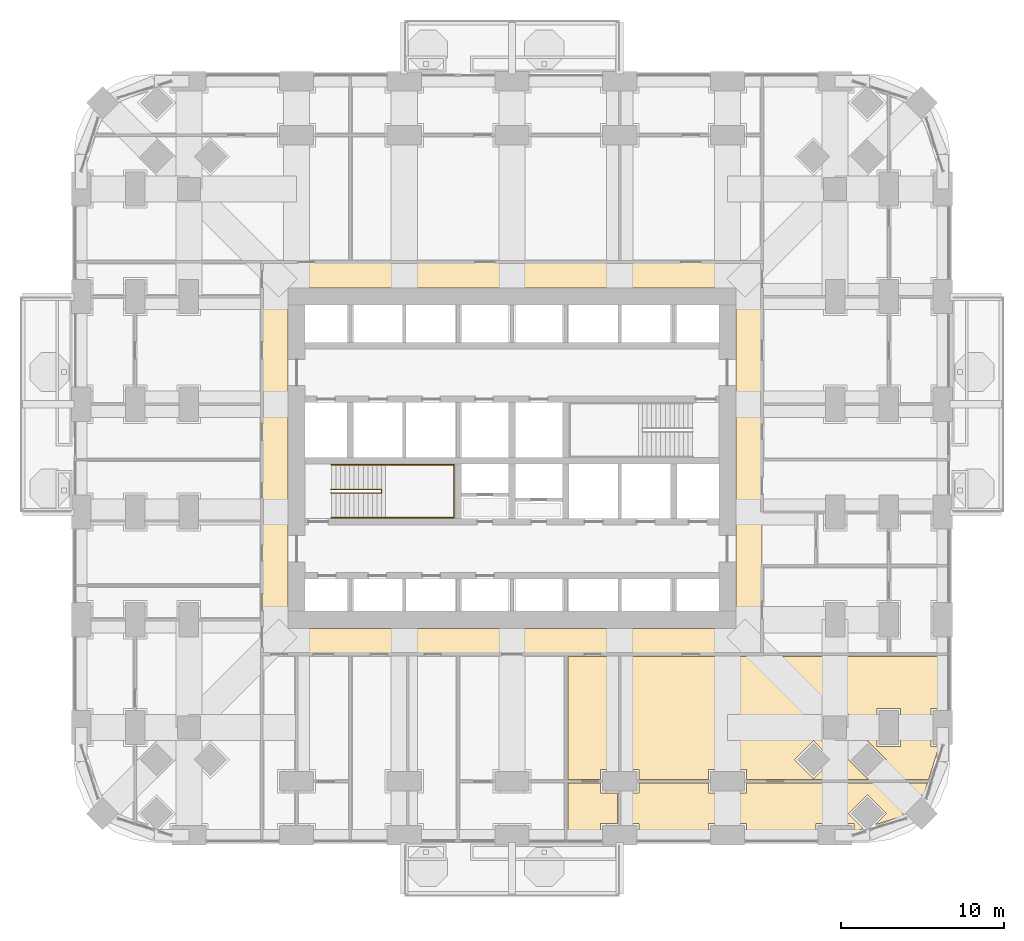
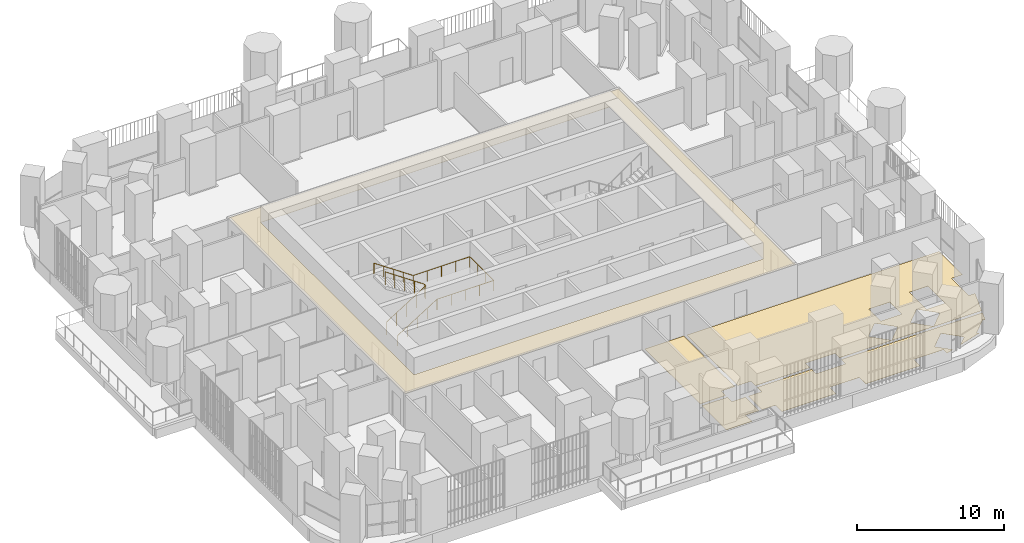
# One storey, part 23 of 26: 5 coverings, 2 railings.
"""IFC4 building model written with IfcOpenShell, lengths in metres."""

from ifc_helpers import new_model, si_unit, direction, frame, origin, place, context, subcontext, project, spatial, polyline, outline, extrude, material, layer, layer_set, type_object, element, save


model = new_model("IFC4")

# Units and contexts
model_context = context("Model", 3, precision=1e-05, world=origin(), true_north=direction((0.0, 1.0)))
body_context = subcontext(model_context, "Body", "Model", "MODEL_VIEW")
ifc_project = project(units=[si_unit("LENGTHUNIT", "METRE"), si_unit("AREAUNIT", "SQUARE_METRE"), si_unit("VOLUMEUNIT", "CUBIC_METRE"), si_unit("PLANEANGLEUNIT", "RADIAN"), si_unit("MASSUNIT", "GRAM", prefix="KILO")], contexts=[model_context])

# Site, building, storey
site_placement = place(None, origin())
site = spatial("IfcSite", under=ifc_project, at=site_placement, CompositionType="ELEMENT")
building_placement = place(site_placement, origin())
building = spatial("IfcBuilding", under=site, at=building_placement, Name="Cobogo Forest Laboratory Tower", CompositionType="ELEMENT")
storey_placement = place(building_placement, frame((0.0, 0.0, 59.10009765625)))
storey = spatial("IfcBuildingStorey", under=building, at=storey_placement, Name="L13", CompositionType="ELEMENT", Elevation=59.10009765625)

# Coverings
ifc_material_1 = material(Name="Mineral fibre ceiling tile", Category="ceiling")
ifc_layer_1 = layer(ifc_material_1, 0.02001953125)
ifc_layer_set_1 = layer_set([ifc_layer_1], Name="CL1 suspended ceiling")
covering_type_1 = type_object("IfcCoveringType", Name="CL1 suspended ceiling", PredefinedType="CEILING", material=ifc_layer_set_1)
covering_1_placement = place(storey_placement, frame((0.0, 0.0, 2.7998046875)))
element("IfcCovering", 1, at=covering_1_placement, inside=storey, type_object=covering_type_1, Name="Corridor ceiling L13", PredefinedType="CEILING", context=body_context, shape_type="SweptSolid", body=[
    extrude(outline(polyline([(11.074951171875, 11.074951171875), (11.074951171875, 35.125), (41.72509765625, 35.125), (41.72509765625, 11.074951171875), (11.074951171875, 11.074951171875)]), holes=[polyline([(40.125, 33.52490234375), (12.675048828125, 33.52490234375), (12.675048828125, 12.675048828125), (40.125, 12.675048828125), (40.125, 33.52490234375)])]), origin(), (0.0, 0.0, 1.0), 0.02001953125),
])
ifc_material_2 = material(Name="Carpet tile on raised access floor", Category="flooring")
ifc_layer_2 = layer(ifc_material_2, 0.008056640625)
ifc_layer_set_2 = layer_set([ifc_layer_2], Name="CT1 carpet tile floor 8")
covering_type_2 = type_object("IfcCoveringType", Name="CT1 carpet tile floor 8", PredefinedType="FLOORING", material=ifc_layer_set_2)
covering_2_placement = place(storey_placement, origin())
element("IfcCovering", 2, at=covering_2_placement, inside=storey, type_object=covering_type_2, Name="Carpet floor L13-09", PredefinedType="FLOORING", context=body_context, shape_type="SweptSolid", body=[
    extrude(outline(polyline([(31.830078125, 3.179931640625), (31.830078125, 2.580078125), (32.8798828125, 2.580078125), (32.8798828125, 0.719970703125), (31.830078125, 0.719970703125), (31.830078125, -0.14990234375), (29.820068359375, -0.14990234375), (29.820068359375, 3.179931640625), (31.830078125, 3.179931640625)])), origin(), (0.0, 0.0, 1.0), 0.0078125),
])
covering_3_placement = place(storey_placement, origin())
element("IfcCovering", 3, at=covering_3_placement, inside=storey, type_object=covering_type_2, Name="Carpet floor L13-11", PredefinedType="FLOORING", context=body_context, shape_type="SweptSolid", body=[
    extrude(outline(polyline([(38.429931640625, 3.179931640625), (38.429931640625, 2.580078125), (40.77001953125, 2.580078125), (40.77001953125, 3.179931640625), (51.8603515625, 3.179931640625), (51.600830078125, 2.358642578125), (51.48193359375, 2.477783203125), (50.322265625, 1.318115234375), (50.441162109375, 1.19921875), (48.660400390625, 0.63671875), (49.341552734375, 1.318115234375), (48.181884765625, 2.477783203125), (47.022216796875, 1.318115234375), (47.933349609375, 0.406982421875), (47.3701171875, 0.229248046875), (47.3701171875, 0.719970703125), (45.030029296875, 0.719970703125), (45.030029296875, -0.14990234375), (40.77001953125, -0.14990234375), (40.77001953125, 0.719970703125), (38.429931640625, 0.719970703125), (38.429931640625, -0.14990234375), (34.169921875, -0.14990234375), (34.169921875, 0.719970703125), (33.1201171875, 0.719970703125), (33.1201171875, 2.580078125), (34.169921875, 2.580078125), (34.169921875, 3.179931640625), (38.429931640625, 3.179931640625)])), origin(), (0.0, 0.0, 1.0), 0.0078125),
])

# Railings
ifc_material_3 = material(Name="Steel balustrade", Category="steel")
railing_type_1 = type_object("IfcRailingType", Name="GR stair guard 1100", PredefinedType="GUARDRAIL", material=ifc_material_3)
railing_1_placement = place(storey_placement, frame((15.324951171875, 20.969970703125, 0.1748046875)))
element("IfcRailing", 4, at=railing_1_placement, inside=storey, type_object=railing_type_1, Name="Stair guard ST1 L13", PredefinedType="GUARDRAIL", context=body_context, shape_type="SweptSolid", body=[
    extrude(outline(polyline([(0.022216796875, 0.00927734375), (0.00927734375, 0.022216796875), (-0.00927734375, 0.022216796875), (-0.022216796875, 0.00927734375), (-0.022216796875, -0.00927734375), (-0.00927734375, -0.022216796875), (0.00927734375, -0.022216796875), (0.022216796875, -0.00927734375), (0.022216796875, 0.00927734375)])), frame((0.0, 0.0, 1.077880859375), z_axis=(0.847998304005, 0.0, 0.529998940003), x_axis=(0.0, 1.0, 0.0)), (0.0, 0.0, 1.0), 3.632080078125),
    extrude(outline(polyline([(0.022216796875, 0.00927734375), (0.00927734375, 0.022216796875), (-0.00927734375, 0.022216796875), (-0.022216796875, 0.00927734375), (-0.022216796875, -0.00927734375), (-0.00927734375, -0.022216796875), (0.00927734375, -0.022216796875), (0.022216796875, -0.00927734375), (0.022216796875, 0.00927734375)])), frame((3.080078125, 0.0, 3.0029296875), z_axis=(0.0, 1.0, 0.0), x_axis=(-1.0, 0.0, 0.0)), (0.0, 0.0, 1.0), 0.2099609375),
    extrude(outline(polyline([(0.022216796875, 0.00927734375), (0.00927734375, 0.022216796875), (-0.00927734375, 0.022216796875), (-0.022216796875, 0.00927734375), (-0.022216796875, -0.00927734375), (-0.00927734375, -0.022216796875), (0.00927734375, -0.022216796875), (0.022216796875, -0.00927734375), (0.022216796875, 0.00927734375)])), frame((3.080078125, 0.2099609375, 3.0029296875), z_axis=(-0.826221800596, 0.0, 0.563344953133), x_axis=(0.0, -1.0, 0.0)), (0.0, 0.0, 1.0), 3.72802734375),
    extrude(outline(polyline([(0.019287109375, 0.008056640625), (0.008056640625, 0.019287109375), (-0.008056640625, 0.019287109375), (-0.019287109375, 0.008056640625), (-0.019287109375, -0.008056640625), (-0.008056640625, -0.019287109375), (0.008056640625, -0.019287109375), (0.019287109375, -0.008056640625), (0.019287109375, 0.008056640625)])), origin(), (0.0, 0.0, 1.0), 1.077880859375),
    extrude(outline(polyline([(0.019287109375, 0.008056640625), (0.008056640625, 0.019287109375), (-0.008056640625, 0.019287109375), (-0.019287109375, 0.008056640625), (-0.019287109375, -0.008056640625), (-0.008056640625, -0.019287109375), (0.008056640625, -0.019287109375), (0.019287109375, -0.008056640625), (0.019287109375, 0.008056640625)])), frame((0.77001953125, 0.0, 0.481201171875)), (0.0, 0.0, 1.0), 1.077880859375),
    extrude(outline(polyline([(0.019287109375, 0.008056640625), (0.008056640625, 0.019287109375), (-0.008056640625, 0.019287109375), (-0.019287109375, 0.008056640625), (-0.019287109375, -0.008056640625), (-0.008056640625, -0.019287109375), (0.008056640625, -0.019287109375), (0.019287109375, -0.008056640625), (0.019287109375, 0.008056640625)])), frame((1.5400390625, 0.0, 0.96240234375)), (0.0, 0.0, 1.0), 1.077880859375),
    extrude(outline(polyline([(0.019287109375, 0.008056640625), (0.008056640625, 0.019287109375), (-0.008056640625, 0.019287109375), (-0.019287109375, 0.008056640625), (-0.019287109375, -0.008056640625), (-0.008056640625, -0.019287109375), (0.008056640625, -0.019287109375), (0.019287109375, -0.008056640625), (0.019287109375, 0.008056640625)])), frame((2.31005859375, 0.0, 1.44384765625)), (0.0, 0.0, 1.0), 1.077880859375),
    extrude(outline(polyline([(0.019287109375, 0.008056640625), (0.008056640625, 0.019287109375), (-0.008056640625, 0.019287109375), (-0.019287109375, 0.008056640625), (-0.019287109375, -0.008056640625), (-0.008056640625, -0.019287109375), (0.008056640625, -0.019287109375), (0.019287109375, -0.008056640625), (0.019287109375, 0.008056640625)])), frame((3.080078125, 0.0, 1.925048828125)), (0.0, 0.0, 1.0), 1.077880859375),
    extrude(outline(polyline([(0.019287109375, 0.008056640625), (0.008056640625, 0.019287109375), (-0.008056640625, 0.019287109375), (-0.019287109375, 0.008056640625), (-0.019287109375, -0.008056640625), (-0.008056640625, -0.019287109375), (0.008056640625, -0.019287109375), (0.019287109375, -0.008056640625), (0.019287109375, 0.008056640625)])), frame((3.080078125, 0.2099609375, 1.925048828125)), (0.0, 0.0, 1.0), 1.077880859375),
    extrude(outline(polyline([(0.019287109375, 0.008056640625), (0.008056640625, 0.019287109375), (-0.008056640625, 0.019287109375), (-0.019287109375, 0.008056640625), (-0.019287109375, -0.008056640625), (-0.008056640625, -0.019287109375), (0.008056640625, -0.019287109375), (0.019287109375, -0.008056640625), (0.019287109375, 0.008056640625)])), frame((2.31005859375, 0.2099609375, 2.4501953125)), (0.0, 0.0, 1.0), 1.077880859375),
    extrude(outline(polyline([(0.019287109375, 0.008056640625), (0.008056640625, 0.019287109375), (-0.008056640625, 0.019287109375), (-0.019287109375, 0.008056640625), (-0.019287109375, -0.008056640625), (-0.008056640625, -0.019287109375), (0.008056640625, -0.019287109375), (0.019287109375, -0.008056640625), (0.019287109375, 0.008056640625)])), frame((1.5400390625, 0.2099609375, 2.97509765625)), (0.0, 0.0, 1.0), 1.077880859375),
    extrude(outline(polyline([(0.019287109375, 0.008056640625), (0.008056640625, 0.019287109375), (-0.008056640625, 0.019287109375), (-0.019287109375, 0.008056640625), (-0.019287109375, -0.008056640625), (-0.008056640625, -0.019287109375), (0.008056640625, -0.019287109375), (0.019287109375, -0.008056640625), (0.019287109375, 0.008056640625)])), frame((0.77001953125, 0.2099609375, 3.5)), (0.0, 0.0, 1.0), 1.077880859375),
    extrude(outline(polyline([(0.019287109375, 0.008056640625), (0.008056640625, 0.019287109375), (-0.008056640625, 0.019287109375), (-0.019287109375, 0.008056640625), (-0.019287109375, -0.008056640625), (-0.008056640625, -0.019287109375), (0.008056640625, -0.019287109375), (0.019287109375, -0.008056640625), (0.019287109375, 0.008056640625)])), frame((0.0, 0.2099609375, 4.025146484375)), (0.0, 0.0, 1.0), 1.077880859375),
])
ifc_material_4 = material(Name="Stainless steel handrail", Category="steel")
railing_type_2 = type_object("IfcRailingType", Name="HR handrail 900", PredefinedType="HANDRAIL", material=ifc_material_4)
railing_2_placement = place(storey_placement, frame((15.324951171875, 19.449951171875, 0.1748046875)))
element("IfcRailing", 5, at=railing_2_placement, inside=storey, type_object=railing_type_2, Name="Stair handrail ST1 L13", PredefinedType="HANDRAIL", context=body_context, shape_type="SweptSolid", body=[
    extrude(outline(polyline([(0.022216796875, 0.00927734375), (0.00927734375, 0.022216796875), (-0.00927734375, 0.022216796875), (-0.022216796875, 0.00927734375), (-0.022216796875, -0.00927734375), (-0.00927734375, -0.022216796875), (0.00927734375, -0.022216796875), (0.022216796875, -0.00927734375), (0.022216796875, 0.00927734375)])), frame((0.0, 0.0, 0.877685546875), z_axis=(0.847998304005, 0.0, 0.529998940003), x_axis=(0.0, 1.0, 0.0)), (0.0, 0.0, 1.0), 3.632080078125),
    extrude(outline(polyline([(0.022216796875, 0.00927734375), (0.00927734375, 0.022216796875), (-0.00927734375, 0.022216796875), (-0.022216796875, 0.00927734375), (-0.022216796875, -0.00927734375), (-0.00927734375, -0.022216796875), (0.00927734375, -0.022216796875), (0.022216796875, -0.00927734375), (0.022216796875, 0.00927734375)])), frame((3.080078125, 0.0, 2.802734375), z_axis=(1.0, 0.0, 0.0), x_axis=(0.0, 1.0, 0.0)), (0.0, 0.0, 1.0), 4.445068359375),
    extrude(outline(polyline([(0.022216796875, 0.00927734375), (0.00927734375, 0.022216796875), (-0.00927734375, 0.022216796875), (-0.022216796875, 0.00927734375), (-0.022216796875, -0.00927734375), (-0.00927734375, -0.022216796875), (0.00927734375, -0.022216796875), (0.022216796875, -0.00927734375), (0.022216796875, 0.00927734375)])), frame((7.525146484375, 0.0, 2.802734375), z_axis=(0.0, 1.0, 0.0), x_axis=(-1.0, 0.0, 0.0)), (0.0, 0.0, 1.0), 3.25),
    extrude(outline(polyline([(0.022216796875, 0.00927734375), (0.00927734375, 0.022216796875), (-0.00927734375, 0.022216796875), (-0.022216796875, 0.00927734375), (-0.022216796875, -0.00927734375), (-0.00927734375, -0.022216796875), (0.00927734375, -0.022216796875), (0.022216796875, -0.00927734375), (0.022216796875, 0.00927734375)])), frame((7.525146484375, 3.25, 2.802734375), z_axis=(-1.0, 0.0, 0.0), x_axis=(0.0, -1.0, 0.0)), (0.0, 0.0, 1.0), 4.445068359375),
    extrude(outline(polyline([(0.022216796875, 0.00927734375), (0.00927734375, 0.022216796875), (-0.00927734375, 0.022216796875), (-0.022216796875, 0.00927734375), (-0.022216796875, -0.00927734375), (-0.00927734375, -0.022216796875), (0.00927734375, -0.022216796875), (0.022216796875, -0.00927734375), (0.022216796875, 0.00927734375)])), frame((3.080078125, 3.25, 2.802734375), z_axis=(-0.826221800596, 0.0, 0.563344953133), x_axis=(0.0, -1.0, 0.0)), (0.0, 0.0, 1.0), 3.72802734375),
    extrude(outline(polyline([(0.019287109375, 0.008056640625), (0.008056640625, 0.019287109375), (-0.008056640625, 0.019287109375), (-0.019287109375, 0.008056640625), (-0.019287109375, -0.008056640625), (-0.008056640625, -0.019287109375), (0.008056640625, -0.019287109375), (0.019287109375, -0.008056640625), (0.019287109375, 0.008056640625)])), origin(), (0.0, 0.0, 1.0), 0.877685546875),
    extrude(outline(polyline([(0.019287109375, 0.008056640625), (0.008056640625, 0.019287109375), (-0.008056640625, 0.019287109375), (-0.019287109375, 0.008056640625), (-0.019287109375, -0.008056640625), (-0.008056640625, -0.019287109375), (0.008056640625, -0.019287109375), (0.019287109375, -0.008056640625), (0.019287109375, 0.008056640625)])), frame((0.77001953125, 0.0, 0.481201171875)), (0.0, 0.0, 1.0), 0.877685546875),
    extrude(outline(polyline([(0.019287109375, 0.008056640625), (0.008056640625, 0.019287109375), (-0.008056640625, 0.019287109375), (-0.019287109375, 0.008056640625), (-0.019287109375, -0.008056640625), (-0.008056640625, -0.019287109375), (0.008056640625, -0.019287109375), (0.019287109375, -0.008056640625), (0.019287109375, 0.008056640625)])), frame((1.5400390625, 0.0, 0.96240234375)), (0.0, 0.0, 1.0), 0.877685546875),
    extrude(outline(polyline([(0.019287109375, 0.008056640625), (0.008056640625, 0.019287109375), (-0.008056640625, 0.019287109375), (-0.019287109375, 0.008056640625), (-0.019287109375, -0.008056640625), (-0.008056640625, -0.019287109375), (0.008056640625, -0.019287109375), (0.019287109375, -0.008056640625), (0.019287109375, 0.008056640625)])), frame((2.31005859375, 0.0, 1.44384765625)), (0.0, 0.0, 1.0), 0.877685546875),
    extrude(outline(polyline([(0.019287109375, 0.008056640625), (0.008056640625, 0.019287109375), (-0.008056640625, 0.019287109375), (-0.019287109375, 0.008056640625), (-0.019287109375, -0.008056640625), (-0.008056640625, -0.019287109375), (0.008056640625, -0.019287109375), (0.019287109375, -0.008056640625), (0.019287109375, 0.008056640625)])), frame((3.080078125, 0.0, 1.925048828125)), (0.0, 0.0, 1.0), 0.877685546875),
    extrude(outline(polyline([(0.019287109375, 0.008056640625), (0.008056640625, 0.019287109375), (-0.008056640625, 0.019287109375), (-0.019287109375, 0.008056640625), (-0.019287109375, -0.008056640625), (-0.008056640625, -0.019287109375), (0.008056640625, -0.019287109375), (0.019287109375, -0.008056640625), (0.019287109375, 0.008056640625)])), frame((4.19140625, 0.0, 1.925048828125)), (0.0, 0.0, 1.0), 0.877685546875),
    extrude(outline(polyline([(0.019287109375, 0.008056640625), (0.008056640625, 0.019287109375), (-0.008056640625, 0.019287109375), (-0.019287109375, 0.008056640625), (-0.019287109375, -0.008056640625), (-0.008056640625, -0.019287109375), (0.008056640625, -0.019287109375), (0.019287109375, -0.008056640625), (0.019287109375, 0.008056640625)])), frame((5.302734375, 0.0, 1.925048828125)), (0.0, 0.0, 1.0), 0.877685546875),
    extrude(outline(polyline([(0.019287109375, 0.008056640625), (0.008056640625, 0.019287109375), (-0.008056640625, 0.019287109375), (-0.019287109375, 0.008056640625), (-0.019287109375, -0.008056640625), (-0.008056640625, -0.019287109375), (0.008056640625, -0.019287109375), (0.019287109375, -0.008056640625), (0.019287109375, 0.008056640625)])), frame((6.413818359375, 0.0, 1.925048828125)), (0.0, 0.0, 1.0), 0.877685546875),
    extrude(outline(polyline([(0.019287109375, 0.008056640625), (0.008056640625, 0.019287109375), (-0.008056640625, 0.019287109375), (-0.019287109375, 0.008056640625), (-0.019287109375, -0.008056640625), (-0.008056640625, -0.019287109375), (0.008056640625, -0.019287109375), (0.019287109375, -0.008056640625), (0.019287109375, 0.008056640625)])), frame((7.525146484375, 0.0, 1.925048828125)), (0.0, 0.0, 1.0), 0.877685546875),
    extrude(outline(polyline([(0.019287109375, 0.008056640625), (0.008056640625, 0.019287109375), (-0.008056640625, 0.019287109375), (-0.019287109375, 0.008056640625), (-0.019287109375, -0.008056640625), (-0.008056640625, -0.019287109375), (0.008056640625, -0.019287109375), (0.019287109375, -0.008056640625), (0.019287109375, 0.008056640625)])), frame((7.525146484375, 1.083251953125, 1.925048828125)), (0.0, 0.0, 1.0), 0.877685546875),
    extrude(outline(polyline([(0.019287109375, 0.008056640625), (0.008056640625, 0.019287109375), (-0.008056640625, 0.019287109375), (-0.019287109375, 0.008056640625), (-0.019287109375, -0.008056640625), (-0.008056640625, -0.019287109375), (0.008056640625, -0.019287109375), (0.019287109375, -0.008056640625), (0.019287109375, 0.008056640625)])), frame((7.525146484375, 2.166748046875, 1.925048828125)), (0.0, 0.0, 1.0), 0.877685546875),
    extrude(outline(polyline([(0.019287109375, 0.008056640625), (0.008056640625, 0.019287109375), (-0.008056640625, 0.019287109375), (-0.019287109375, 0.008056640625), (-0.019287109375, -0.008056640625), (-0.008056640625, -0.019287109375), (0.008056640625, -0.019287109375), (0.019287109375, -0.008056640625), (0.019287109375, 0.008056640625)])), frame((7.525146484375, 3.25, 1.925048828125)), (0.0, 0.0, 1.0), 0.877685546875),
    extrude(outline(polyline([(0.019287109375, 0.008056640625), (0.008056640625, 0.019287109375), (-0.008056640625, 0.019287109375), (-0.019287109375, 0.008056640625), (-0.019287109375, -0.008056640625), (-0.008056640625, -0.019287109375), (0.008056640625, -0.019287109375), (0.019287109375, -0.008056640625), (0.019287109375, 0.008056640625)])), frame((6.413818359375, 3.25, 1.925048828125)), (0.0, 0.0, 1.0), 0.877685546875),
    extrude(outline(polyline([(0.019287109375, 0.008056640625), (0.008056640625, 0.019287109375), (-0.008056640625, 0.019287109375), (-0.019287109375, 0.008056640625), (-0.019287109375, -0.008056640625), (-0.008056640625, -0.019287109375), (0.008056640625, -0.019287109375), (0.019287109375, -0.008056640625), (0.019287109375, 0.008056640625)])), frame((5.302734375, 3.25, 1.925048828125)), (0.0, 0.0, 1.0), 0.877685546875),
    extrude(outline(polyline([(0.019287109375, 0.008056640625), (0.008056640625, 0.019287109375), (-0.008056640625, 0.019287109375), (-0.019287109375, 0.008056640625), (-0.019287109375, -0.008056640625), (-0.008056640625, -0.019287109375), (0.008056640625, -0.019287109375), (0.019287109375, -0.008056640625), (0.019287109375, 0.008056640625)])), frame((4.19140625, 3.25, 1.925048828125)), (0.0, 0.0, 1.0), 0.877685546875),
    extrude(outline(polyline([(0.019287109375, 0.008056640625), (0.008056640625, 0.019287109375), (-0.008056640625, 0.019287109375), (-0.019287109375, 0.008056640625), (-0.019287109375, -0.008056640625), (-0.008056640625, -0.019287109375), (0.008056640625, -0.019287109375), (0.019287109375, -0.008056640625), (0.019287109375, 0.008056640625)])), frame((3.080078125, 3.25, 1.925048828125)), (0.0, 0.0, 1.0), 0.877685546875),
    extrude(outline(polyline([(0.019287109375, 0.008056640625), (0.008056640625, 0.019287109375), (-0.008056640625, 0.019287109375), (-0.019287109375, 0.008056640625), (-0.019287109375, -0.008056640625), (-0.008056640625, -0.019287109375), (0.008056640625, -0.019287109375), (0.019287109375, -0.008056640625), (0.019287109375, 0.008056640625)])), frame((2.31005859375, 3.25, 2.4501953125)), (0.0, 0.0, 1.0), 0.877685546875),
    extrude(outline(polyline([(0.019287109375, 0.008056640625), (0.008056640625, 0.019287109375), (-0.008056640625, 0.019287109375), (-0.019287109375, 0.008056640625), (-0.019287109375, -0.008056640625), (-0.008056640625, -0.019287109375), (0.008056640625, -0.019287109375), (0.019287109375, -0.008056640625), (0.019287109375, 0.008056640625)])), frame((1.5400390625, 3.25, 2.97509765625)), (0.0, 0.0, 1.0), 0.877685546875),
    extrude(outline(polyline([(0.019287109375, 0.008056640625), (0.008056640625, 0.019287109375), (-0.008056640625, 0.019287109375), (-0.019287109375, 0.008056640625), (-0.019287109375, -0.008056640625), (-0.008056640625, -0.019287109375), (0.008056640625, -0.019287109375), (0.019287109375, -0.008056640625), (0.019287109375, 0.008056640625)])), frame((0.77001953125, 3.25, 3.5)), (0.0, 0.0, 1.0), 0.877685546875),
    extrude(outline(polyline([(0.019287109375, 0.008056640625), (0.008056640625, 0.019287109375), (-0.008056640625, 0.019287109375), (-0.019287109375, 0.008056640625), (-0.019287109375, -0.008056640625), (-0.008056640625, -0.019287109375), (0.008056640625, -0.019287109375), (0.019287109375, -0.008056640625), (0.019287109375, 0.008056640625)])), frame((0.0, 3.25, 4.025146484375)), (0.0, 0.0, 1.0), 0.877685546875),
])

# Coverings
ifc_material_5 = material(Name="Epoxy resin flooring", Category="flooring")
ifc_layer_3 = layer(ifc_material_5, 0.00390625)
ifc_layer_set_3 = layer_set([ifc_layer_3], Name="LF1 epoxy laboratory floor 4")
covering_type_3 = type_object("IfcCoveringType", Name="LF1 epoxy laboratory floor 4", PredefinedType="FLOORING", material=ifc_layer_set_3)
covering_4_placement = place(storey_placement, origin())
element("IfcCovering", 6, at=covering_4_placement, inside=storey, type_object=covering_type_3, Name="Epoxy laboratory floor L13-08", PredefinedType="FLOORING", context=body_context, shape_type="SweptSolid", body=[
    extrude(outline(polyline([(29.820068359375, 10.955078125), (32.8798828125, 10.955078125), (32.8798828125, 4.02001953125), (31.830078125, 4.02001953125), (31.830078125, 3.419921875), (29.820068359375, 3.419921875), (29.820068359375, 10.955078125)])), origin(), (0.0, 0.0, 1.0), 0.00390625),
])
covering_5_placement = place(storey_placement, origin())
element("IfcCovering", 7, at=covering_5_placement, inside=storey, type_object=covering_type_3, Name="Epoxy laboratory floor L13-10", PredefinedType="FLOORING", context=body_context, shape_type="SweptSolid", body=[
    extrude(outline(polyline([(33.1201171875, 10.955078125), (52.949951171875, 10.955078125), (52.949951171875, 7.77001953125), (52.080078125, 7.77001953125), (52.080078125, 5.429931640625), (52.57080078125, 5.429931640625), (51.93603515625, 3.419921875), (40.77001953125, 3.419921875), (40.77001953125, 4.02001953125), (38.429931640625, 4.02001953125), (38.429931640625, 3.419921875), (34.169921875, 3.419921875), (34.169921875, 4.02001953125), (33.1201171875, 4.02001953125), (33.1201171875, 10.955078125)]), holes=[polyline([(48.780029296875, 5.429931640625), (50.219970703125, 5.429931640625), (50.219970703125, 7.77001953125), (48.780029296875, 7.77001953125), (48.780029296875, 5.429931640625)]), polyline([(48.181884765625, 5.777587890625), (47.022216796875, 4.617919921875), (48.181884765625, 3.458251953125), (49.341552734375, 4.617919921875), (48.181884765625, 5.777587890625)]), polyline([(45.3798828125, 7.419921875), (45.3798828125, 5.780029296875), (47.02001953125, 5.780029296875), (47.02001953125, 7.419921875), (45.3798828125, 7.419921875)]), polyline([(44.882080078125, 5.777587890625), (43.722412109375, 4.617919921875), (44.882080078125, 3.458251953125), (46.041748046875, 4.617919921875), (44.882080078125, 5.777587890625)])]), origin(), (0.0, 0.0, 1.0), 0.00390625),
])

save(model, "model.ifc")
